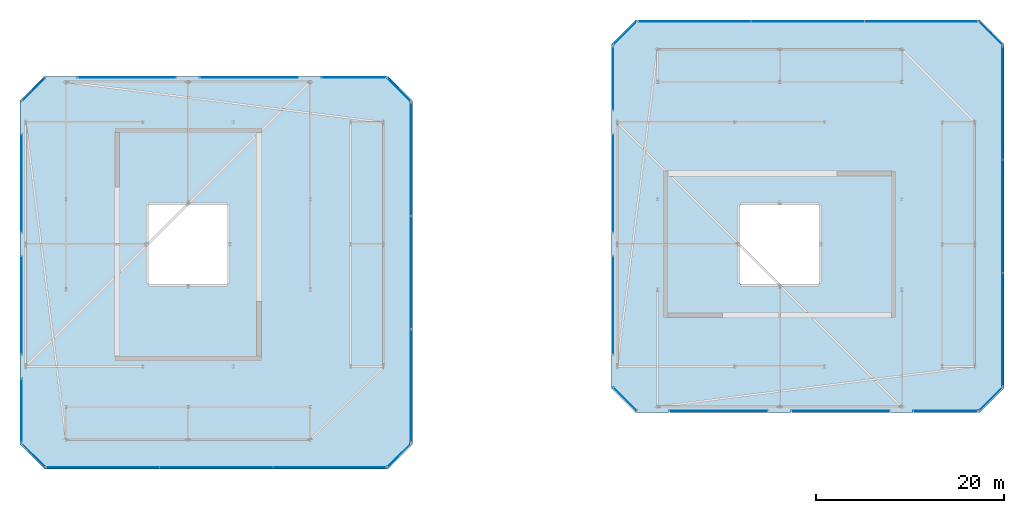
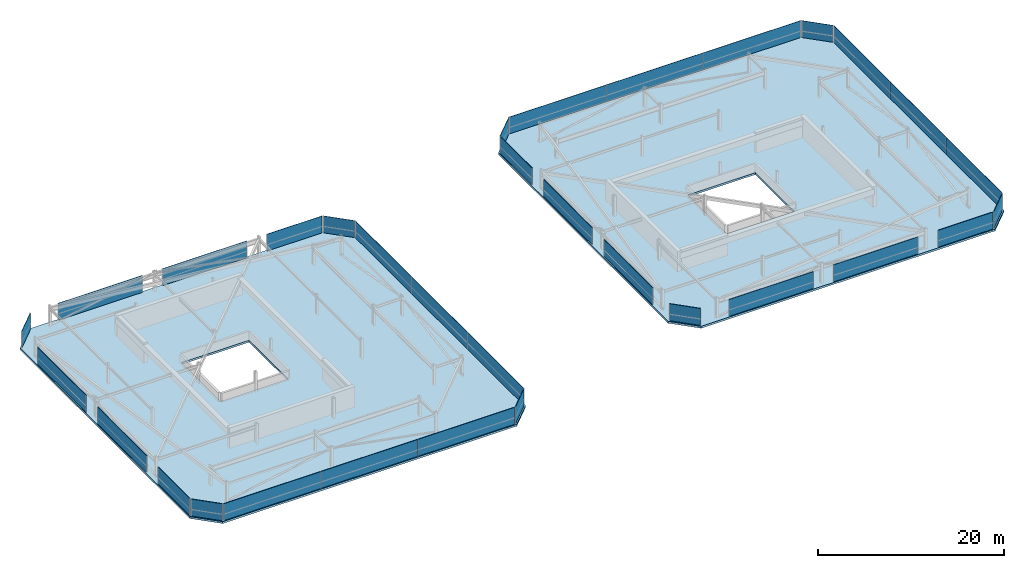
# One storey, part 37 of 42: 32 plates, 2 slabs, 24 elements without a shape of their own.
"""IFC4 building model written with IfcOpenShell, lengths in metres."""

from ifc_helpers import new_model, si_unit, direction, frame, origin, origin_2d, place, context, subcontext, project, spatial, polyline, rectangle, outline, extrude, material, layer, layer_set, type_object, element, aggregate, save


model = new_model("IFC4")

# Units and contexts
model_context = context("Model", 3, precision=1e-05, world=origin(), true_north=direction((0.0, 1.0)))
body_context = subcontext(model_context, "Body", "Model", "MODEL_VIEW")
ifc_project = project(units=[si_unit("LENGTHUNIT", "METRE"), si_unit("AREAUNIT", "SQUARE_METRE"), si_unit("VOLUMEUNIT", "CUBIC_METRE"), si_unit("PLANEANGLEUNIT", "RADIAN"), si_unit("MASSUNIT", "GRAM", prefix="KILO")], contexts=[model_context])

# Site, building, storey
site_placement = place(None, origin())
site = spatial("IfcSite", under=ifc_project, at=site_placement, CompositionType="ELEMENT")
building_placement = place(site_placement, origin())
building = spatial("IfcBuilding", under=site, at=building_placement, Name="Thornwick Lancets Civic Towers", CompositionType="ELEMENT")
storey_placement = place(building_placement, frame((0.0, 0.0, 286.800048828125)))
storey = spatial("IfcBuildingStorey", under=building, at=storey_placement, Name="C03", CompositionType="ELEMENT", Elevation=286.800048828125)

# Curtain wall, plates
ifc_material_1 = material(Name="Crown ring acoustic-louvre and glazing screen wall", Category="glass")
curtain_wall_type = type_object("IfcCurtainWallType", Name="CW_SYS_07", PredefinedType="NOTDEFINED", material=ifc_material_1)
curtain_wall_1_placement = place(storey_placement, origin())
curtain_wall_1 = element("IfcCurtainWall", 1, at=curtain_wall_1_placement, inside=storey, type_object=curtain_wall_type, Name="C03 Curtain Wall CW-C03-A-E0", PredefinedType="NOTDEFINED")
ifc_material_2 = material(Name="Terracotta acoustic louvre screen", Category="masonry")
ifc_layer_1 = layer(ifc_material_2, 0.050048828125, Name="Terracotta acoustic louvre screen")
ifc_layer_set_1 = layer_set([ifc_layer_1], Name="Terracotta acoustic louvre screen")
plate_type = type_object("IfcPlateType", Name="CW_PNL_LOUVRE", PredefinedType="SHEET", material=ifc_layer_set_1)
plate_1_placement = place(storey_placement, frame((16.432373046875, 3.2353515625, 0.0), z_axis=(0.0, 0.0, 1.0), x_axis=(1.0, 0.0, 0.0)))
plate_1 = element("IfcPlate", 2, at=plate_1_placement, type_object=plate_type, Name="CW-C03-A-E0 Panel 0", PredefinedType="SHEET", context=body_context, shape_type="SweptSolid", body=[
    extrude(rectangle(XDim=12.063720703125, YDim=0.050048828125, at=origin_2d()), origin(), (0.0, 0.0, 1.0), 2.219970703125),
])
plate_2_placement = place(storey_placement, frame((28.5, 3.2353515625, 0.0), z_axis=(0.0, 0.0, 1.0), x_axis=(1.0, 0.0, 0.0)))
plate_2 = element("IfcPlate", 3, at=plate_2_placement, type_object=plate_type, Name="CW-C03-A-E0 Panel 1", PredefinedType="SHEET", context=body_context, shape_type="SweptSolid", body=[
    extrude(rectangle(XDim=12.063720703125, YDim=0.050048828125, at=origin_2d()), origin(), (0.0, 0.0, 1.0), 2.219970703125),
])
plate_3_placement = place(storey_placement, frame((40.567626953125, 3.2353515625, 0.0), z_axis=(0.0, 0.0, 1.0), x_axis=(1.0, 0.0, 0.0)))
plate_3 = element("IfcPlate", 4, at=plate_3_placement, type_object=plate_type, Name="CW-C03-A-E0 Panel 2", PredefinedType="SHEET", context=body_context, shape_type="SweptSolid", body=[
    extrude(rectangle(XDim=12.063720703125, YDim=0.050048828125, at=origin_2d()), origin(), (0.0, 0.0, 1.0), 2.219970703125),
])
aggregate(curtain_wall_1, [plate_1, plate_2, plate_3])

# Curtain wall, plate
curtain_wall_2_placement = place(storey_placement, origin())
curtain_wall_2 = element("IfcCurtainWall", 5, at=curtain_wall_2_placement, inside=storey, type_object=curtain_wall_type, Name="C03 Curtain Wall CW-C03-A-E1", PredefinedType="NOTDEFINED")
plate_4_placement = place(storey_placement, frame((47.972900390625, 4.527099609375, 0.0), z_axis=(0.0, 0.0, 1.0), x_axis=(0.707106781187, 0.707106781187, 0.0)))
plate_4 = element("IfcPlate", 6, at=plate_4_placement, type_object=plate_type, Name="CW-C03-A-E1 Panel 0", PredefinedType="SHEET", context=body_context, shape_type="SweptSolid", body=[
    extrude(rectangle(XDim=3.4892578125, YDim=0.050048828125, at=origin_2d()), origin(), (0.0, 0.0, 1.0), 2.219970703125),
])
aggregate(curtain_wall_2, [plate_4])

# Curtain wall, plates
curtain_wall_3_placement = place(storey_placement, origin())
curtain_wall_3 = element("IfcCurtainWall", 7, at=curtain_wall_3_placement, inside=storey, type_object=curtain_wall_type, Name="C03 Curtain Wall CW-C03-A-E2", PredefinedType="NOTDEFINED")
plate_5_placement = place(storey_placement, frame((49.2646484375, 11.932373046875, 0.0), z_axis=(0.0, 0.0, 1.0), x_axis=(0.0, 1.0, 0.0)))
plate_5 = element("IfcPlate", 8, at=plate_5_placement, type_object=plate_type, Name="CW-C03-A-E2 Panel 0", PredefinedType="SHEET", context=body_context, shape_type="SweptSolid", body=[
    extrude(rectangle(XDim=12.063720703125, YDim=0.050048828125, at=origin_2d()), origin(), (0.0, 0.0, 1.0), 2.219970703125),
])
plate_6_placement = place(storey_placement, frame((49.2646484375, 24.0, 0.0), z_axis=(0.0, 0.0, 1.0), x_axis=(0.0, 1.0, 0.0)))
plate_6 = element("IfcPlate", 9, at=plate_6_placement, type_object=plate_type, Name="CW-C03-A-E2 Panel 1", PredefinedType="SHEET", context=body_context, shape_type="SweptSolid", body=[
    extrude(rectangle(XDim=12.063720703125, YDim=0.050048828125, at=origin_2d()), origin(), (0.0, 0.0, 1.0), 2.219970703125),
])
plate_7_placement = place(storey_placement, frame((49.2646484375, 36.067626953125, 0.0), z_axis=(0.0, 0.0, 1.0), x_axis=(0.0, 1.0, 0.0)))
plate_7 = element("IfcPlate", 10, at=plate_7_placement, type_object=plate_type, Name="CW-C03-A-E2 Panel 2", PredefinedType="SHEET", context=body_context, shape_type="SweptSolid", body=[
    extrude(rectangle(XDim=12.063720703125, YDim=0.050048828125, at=origin_2d()), origin(), (0.0, 0.0, 1.0), 2.219970703125),
])
aggregate(curtain_wall_3, [plate_5, plate_6, plate_7])

# Curtain wall, plate
curtain_wall_4_placement = place(storey_placement, origin())
curtain_wall_4 = element("IfcCurtainWall", 11, at=curtain_wall_4_placement, inside=storey, type_object=curtain_wall_type, Name="C03 Curtain Wall CW-C03-A-E3", PredefinedType="NOTDEFINED")
plate_8_placement = place(storey_placement, frame((47.972900390625, 43.472900390625, 0.0), z_axis=(0.0, 0.0, 1.0), x_axis=(-0.707106781187, 0.707106781187, 0.0)))
plate_8 = element("IfcPlate", 12, at=plate_8_placement, type_object=plate_type, Name="CW-C03-A-E3 Panel 0", PredefinedType="SHEET", context=body_context, shape_type="SweptSolid", body=[
    extrude(rectangle(XDim=3.4892578125, YDim=0.050048828125, at=origin_2d()), origin(), (0.0, 0.0, 1.0), 2.219970703125),
])
aggregate(curtain_wall_4, [plate_8])

curtain_wall_5_placement = place(storey_placement, origin())
curtain_wall_5 = element("IfcCurtainWall", 13, at=curtain_wall_5_placement, inside=storey, type_object=curtain_wall_type, Name="C03 Curtain Wall CW-C03-A-E4-S1", PredefinedType="NOTDEFINED")
plate_9_placement = place(storey_placement, frame((43.17578125, 44.7646484375, 0.0), z_axis=(0.0, 0.0, 1.0), x_axis=(-1.0, 0.0, 0.0)))
plate_9 = element("IfcPlate", 14, at=plate_9_placement, type_object=plate_type, Name="CW-C03-A-E4-S1 Panel 0", PredefinedType="SHEET", context=body_context, shape_type="SweptSolid", body=[
    extrude(rectangle(XDim=6.847412109375, YDim=0.050048828125, at=origin_2d()), origin(), (0.0, 0.0, 1.0), 2.219970703125),
])
aggregate(curtain_wall_5, [plate_9])

curtain_wall_6_placement = place(storey_placement, origin())
curtain_wall_6 = element("IfcCurtainWall", 15, at=curtain_wall_6_placement, inside=storey, type_object=curtain_wall_type, Name="C03 Curtain Wall CW-C03-A-E4-S2", PredefinedType="NOTDEFINED")
plate_10_placement = place(storey_placement, frame((32.0, 44.7646484375, 0.0), z_axis=(0.0, 0.0, 1.0), x_axis=(-1.0, 0.0, 0.0)))
plate_10 = element("IfcPlate", 16, at=plate_10_placement, type_object=plate_type, Name="CW-C03-A-E4-S2 Panel 0", PredefinedType="SHEET", context=body_context, shape_type="SweptSolid", body=[
    extrude(rectangle(XDim=10.49609375, YDim=0.050048828125, at=origin_2d()), origin(), (0.0, 0.0, 1.0), 2.219970703125),
])
aggregate(curtain_wall_6, [plate_10])

curtain_wall_7_placement = place(storey_placement, origin())
curtain_wall_7 = element("IfcCurtainWall", 17, at=curtain_wall_7_placement, inside=storey, type_object=curtain_wall_type, Name="C03 Curtain Wall CW-C03-A-E4-S3", PredefinedType="NOTDEFINED")
plate_11_placement = place(storey_placement, frame((19.0, 44.7646484375, 0.0), z_axis=(0.0, 0.0, 1.0), x_axis=(-1.0, 0.0, 0.0)))
plate_11 = element("IfcPlate", 18, at=plate_11_placement, type_object=plate_type, Name="CW-C03-A-E4-S3 Panel 0", PredefinedType="SHEET", context=body_context, shape_type="SweptSolid", body=[
    extrude(rectangle(XDim=10.49609375, YDim=0.050048828125, at=origin_2d()), origin(), (0.0, 0.0, 1.0), 2.219970703125),
])
aggregate(curtain_wall_7, [plate_11])

curtain_wall_8_placement = place(storey_placement, origin())
curtain_wall_8 = element("IfcCurtainWall", 19, at=curtain_wall_8_placement, inside=storey, type_object=curtain_wall_type, Name="C03 Curtain Wall CW-C03-A-E5", PredefinedType="NOTDEFINED")
plate_12_placement = place(storey_placement, frame((9.027099609375, 43.472900390625, 0.0), z_axis=(0.0, 0.0, 1.0), x_axis=(-0.707106781187, -0.707106781187, 0.0)))
plate_12 = element("IfcPlate", 20, at=plate_12_placement, type_object=plate_type, Name="CW-C03-A-E5 Panel 0", PredefinedType="SHEET", context=body_context, shape_type="SweptSolid", body=[
    extrude(rectangle(XDim=3.4892578125, YDim=0.050048828125, at=origin_2d()), origin(), (0.0, 0.0, 1.0), 2.219970703125),
])
aggregate(curtain_wall_8, [plate_12])

curtain_wall_9_placement = place(storey_placement, origin())
curtain_wall_9 = element("IfcCurtainWall", 21, at=curtain_wall_9_placement, inside=storey, type_object=curtain_wall_type, Name="C03 Curtain Wall CW-C03-A-E6-S1", PredefinedType="NOTDEFINED")
plate_13_placement = place(storey_placement, frame((7.7353515625, 33.5, 0.0), z_axis=(0.0, 0.0, 1.0), x_axis=(0.0, -1.0, 0.0)))
plate_13 = element("IfcPlate", 22, at=plate_13_placement, type_object=plate_type, Name="CW-C03-A-E6-S1 Panel 0", PredefinedType="SHEET", context=body_context, shape_type="SweptSolid", body=[
    extrude(rectangle(XDim=10.49609375, YDim=0.050048828125, at=origin_2d()), origin(), (0.0, 0.0, 1.0), 2.219970703125),
])
aggregate(curtain_wall_9, [plate_13])

curtain_wall_10_placement = place(storey_placement, origin())
curtain_wall_10 = element("IfcCurtainWall", 23, at=curtain_wall_10_placement, inside=storey, type_object=curtain_wall_type, Name="C03 Curtain Wall CW-C03-A-E6-S2", PredefinedType="NOTDEFINED")
plate_14_placement = place(storey_placement, frame((7.7353515625, 20.5, 0.0), z_axis=(0.0, 0.0, 1.0), x_axis=(0.0, -1.0, 0.0)))
plate_14 = element("IfcPlate", 24, at=plate_14_placement, type_object=plate_type, Name="CW-C03-A-E6-S2 Panel 0", PredefinedType="SHEET", context=body_context, shape_type="SweptSolid", body=[
    extrude(rectangle(XDim=10.49609375, YDim=0.050048828125, at=origin_2d()), origin(), (0.0, 0.0, 1.0), 2.219970703125),
])
aggregate(curtain_wall_10, [plate_14])

curtain_wall_11_placement = place(storey_placement, origin())
curtain_wall_11 = element("IfcCurtainWall", 25, at=curtain_wall_11_placement, inside=storey, type_object=curtain_wall_type, Name="C03 Curtain Wall CW-C03-A-E6-S3", PredefinedType="NOTDEFINED")
plate_15_placement = place(storey_placement, frame((7.7353515625, 9.32421875, 0.0), z_axis=(0.0, 0.0, 1.0), x_axis=(0.0, -1.0, 0.0)))
plate_15 = element("IfcPlate", 26, at=plate_15_placement, type_object=plate_type, Name="CW-C03-A-E6-S3 Panel 0", PredefinedType="SHEET", context=body_context, shape_type="SweptSolid", body=[
    extrude(rectangle(XDim=6.847412109375, YDim=0.050048828125, at=origin_2d()), origin(), (0.0, 0.0, 1.0), 2.219970703125),
])
aggregate(curtain_wall_11, [plate_15])

curtain_wall_12_placement = place(storey_placement, origin())
curtain_wall_12 = element("IfcCurtainWall", 27, at=curtain_wall_12_placement, inside=storey, type_object=curtain_wall_type, Name="C03 Curtain Wall CW-C03-A-E7", PredefinedType="NOTDEFINED")
plate_16_placement = place(storey_placement, frame((9.027099609375, 4.527099609375, 0.0), z_axis=(0.0, 0.0, 1.0), x_axis=(0.707106781187, -0.707106781187, 0.0)))
plate_16 = element("IfcPlate", 28, at=plate_16_placement, type_object=plate_type, Name="CW-C03-A-E7 Panel 0", PredefinedType="SHEET", context=body_context, shape_type="SweptSolid", body=[
    extrude(rectangle(XDim=3.4892578125, YDim=0.050048828125, at=origin_2d()), origin(), (0.0, 0.0, 1.0), 2.219970703125),
])
aggregate(curtain_wall_12, [plate_16])

curtain_wall_13_placement = place(storey_placement, origin())
curtain_wall_13 = element("IfcCurtainWall", 29, at=curtain_wall_13_placement, inside=storey, type_object=curtain_wall_type, Name="C03 Curtain Wall CW-C03-B-E0-S1", PredefinedType="NOTDEFINED")
plate_17_placement = place(storey_placement, frame((82.0, 9.2353515625, 0.0), z_axis=(0.0, 0.0, 1.0), x_axis=(1.0, 0.0, 0.0)))
plate_17 = element("IfcPlate", 30, at=plate_17_placement, type_object=plate_type, Name="CW-C03-B-E0-S1 Panel 0", PredefinedType="SHEET", context=body_context, shape_type="SweptSolid", body=[
    extrude(rectangle(XDim=10.49609375, YDim=0.050048828125, at=origin_2d()), origin(), (0.0, 0.0, 1.0), 2.219970703125),
])
aggregate(curtain_wall_13, [plate_17])

curtain_wall_14_placement = place(storey_placement, origin())
curtain_wall_14 = element("IfcCurtainWall", 31, at=curtain_wall_14_placement, inside=storey, type_object=curtain_wall_type, Name="C03 Curtain Wall CW-C03-B-E0-S2", PredefinedType="NOTDEFINED")
plate_18_placement = place(storey_placement, frame((95.0, 9.2353515625, 0.0), z_axis=(0.0, 0.0, 1.0), x_axis=(1.0, 0.0, 0.0)))
plate_18 = element("IfcPlate", 32, at=plate_18_placement, type_object=plate_type, Name="CW-C03-B-E0-S2 Panel 0", PredefinedType="SHEET", context=body_context, shape_type="SweptSolid", body=[
    extrude(rectangle(XDim=10.49609375, YDim=0.050048828125, at=origin_2d()), origin(), (0.0, 0.0, 1.0), 2.219970703125),
])
aggregate(curtain_wall_14, [plate_18])

curtain_wall_15_placement = place(storey_placement, origin())
curtain_wall_15 = element("IfcCurtainWall", 33, at=curtain_wall_15_placement, inside=storey, type_object=curtain_wall_type, Name="C03 Curtain Wall CW-C03-B-E0-S3", PredefinedType="NOTDEFINED")
plate_19_placement = place(storey_placement, frame((106.17578125, 9.2353515625, 0.0), z_axis=(0.0, 0.0, 1.0), x_axis=(1.0, 0.0, 0.0)))
plate_19 = element("IfcPlate", 34, at=plate_19_placement, type_object=plate_type, Name="CW-C03-B-E0-S3 Panel 0", PredefinedType="SHEET", context=body_context, shape_type="SweptSolid", body=[
    extrude(rectangle(XDim=6.847412109375, YDim=0.050048828125, at=origin_2d()), origin(), (0.0, 0.0, 1.0), 2.219970703125),
])
aggregate(curtain_wall_15, [plate_19])

curtain_wall_16_placement = place(storey_placement, origin())
curtain_wall_16 = element("IfcCurtainWall", 35, at=curtain_wall_16_placement, inside=storey, type_object=curtain_wall_type, Name="C03 Curtain Wall CW-C03-B-E1", PredefinedType="NOTDEFINED")
plate_20_placement = place(storey_placement, frame((110.972900390625, 10.527099609375, 0.0), z_axis=(0.0, 0.0, 1.0), x_axis=(0.707106781187, 0.707106781187, 0.0)))
plate_20 = element("IfcPlate", 36, at=plate_20_placement, type_object=plate_type, Name="CW-C03-B-E1 Panel 0", PredefinedType="SHEET", context=body_context, shape_type="SweptSolid", body=[
    extrude(rectangle(XDim=3.4892578125, YDim=0.050048828125, at=origin_2d()), origin(), (0.0, 0.0, 1.0), 2.219970703125),
])
aggregate(curtain_wall_16, [plate_20])

# Curtain wall, plates
curtain_wall_17_placement = place(storey_placement, origin())
curtain_wall_17 = element("IfcCurtainWall", 37, at=curtain_wall_17_placement, inside=storey, type_object=curtain_wall_type, Name="C03 Curtain Wall CW-C03-B-E2", PredefinedType="NOTDEFINED")
plate_21_placement = place(storey_placement, frame((112.2646484375, 17.932373046875, 0.0), z_axis=(0.0, 0.0, 1.0), x_axis=(0.0, 1.0, 0.0)))
plate_21 = element("IfcPlate", 38, at=plate_21_placement, type_object=plate_type, Name="CW-C03-B-E2 Panel 0", PredefinedType="SHEET", context=body_context, shape_type="SweptSolid", body=[
    extrude(rectangle(XDim=12.063720703125, YDim=0.050048828125, at=origin_2d()), origin(), (0.0, 0.0, 1.0), 2.219970703125),
])
plate_22_placement = place(storey_placement, frame((112.2646484375, 30.0, 0.0), z_axis=(0.0, 0.0, 1.0), x_axis=(0.0, 1.0, 0.0)))
plate_22 = element("IfcPlate", 39, at=plate_22_placement, type_object=plate_type, Name="CW-C03-B-E2 Panel 1", PredefinedType="SHEET", context=body_context, shape_type="SweptSolid", body=[
    extrude(rectangle(XDim=12.063720703125, YDim=0.050048828125, at=origin_2d()), origin(), (0.0, 0.0, 1.0), 2.219970703125),
])
plate_23_placement = place(storey_placement, frame((112.2646484375, 42.067626953125, 0.0), z_axis=(0.0, 0.0, 1.0), x_axis=(0.0, 1.0, 0.0)))
plate_23 = element("IfcPlate", 40, at=plate_23_placement, type_object=plate_type, Name="CW-C03-B-E2 Panel 2", PredefinedType="SHEET", context=body_context, shape_type="SweptSolid", body=[
    extrude(rectangle(XDim=12.063720703125, YDim=0.050048828125, at=origin_2d()), origin(), (0.0, 0.0, 1.0), 2.219970703125),
])
aggregate(curtain_wall_17, [plate_21, plate_22, plate_23])

# Curtain wall, plate
curtain_wall_18_placement = place(storey_placement, origin())
curtain_wall_18 = element("IfcCurtainWall", 41, at=curtain_wall_18_placement, inside=storey, type_object=curtain_wall_type, Name="C03 Curtain Wall CW-C03-B-E3", PredefinedType="NOTDEFINED")
plate_24_placement = place(storey_placement, frame((110.972900390625, 49.472900390625, 0.0), z_axis=(0.0, 0.0, 1.0), x_axis=(-0.707106781187, 0.707106781187, 0.0)))
plate_24 = element("IfcPlate", 42, at=plate_24_placement, type_object=plate_type, Name="CW-C03-B-E3 Panel 0", PredefinedType="SHEET", context=body_context, shape_type="SweptSolid", body=[
    extrude(rectangle(XDim=3.4892578125, YDim=0.050048828125, at=origin_2d()), origin(), (0.0, 0.0, 1.0), 2.219970703125),
])
aggregate(curtain_wall_18, [plate_24])

# Curtain wall, plates
curtain_wall_19_placement = place(storey_placement, origin())
curtain_wall_19 = element("IfcCurtainWall", 43, at=curtain_wall_19_placement, inside=storey, type_object=curtain_wall_type, Name="C03 Curtain Wall CW-C03-B-E4", PredefinedType="NOTDEFINED")
plate_25_placement = place(storey_placement, frame((103.567626953125, 50.7646484375, 0.0), z_axis=(0.0, 0.0, 1.0), x_axis=(-1.0, 0.0, 0.0)))
plate_25 = element("IfcPlate", 44, at=plate_25_placement, type_object=plate_type, Name="CW-C03-B-E4 Panel 0", PredefinedType="SHEET", context=body_context, shape_type="SweptSolid", body=[
    extrude(rectangle(XDim=12.063720703125, YDim=0.050048828125, at=origin_2d()), origin(), (0.0, 0.0, 1.0), 2.219970703125),
])
plate_26_placement = place(storey_placement, frame((91.5, 50.7646484375, 0.0), z_axis=(0.0, 0.0, 1.0), x_axis=(-1.0, 0.0, 0.0)))
plate_26 = element("IfcPlate", 45, at=plate_26_placement, type_object=plate_type, Name="CW-C03-B-E4 Panel 1", PredefinedType="SHEET", context=body_context, shape_type="SweptSolid", body=[
    extrude(rectangle(XDim=12.063720703125, YDim=0.050048828125, at=origin_2d()), origin(), (0.0, 0.0, 1.0), 2.219970703125),
])
plate_27_placement = place(storey_placement, frame((79.432373046875, 50.7646484375, 0.0), z_axis=(0.0, 0.0, 1.0), x_axis=(-1.0, 0.0, 0.0)))
plate_27 = element("IfcPlate", 46, at=plate_27_placement, type_object=plate_type, Name="CW-C03-B-E4 Panel 2", PredefinedType="SHEET", context=body_context, shape_type="SweptSolid", body=[
    extrude(rectangle(XDim=12.063720703125, YDim=0.050048828125, at=origin_2d()), origin(), (0.0, 0.0, 1.0), 2.219970703125),
])
aggregate(curtain_wall_19, [plate_25, plate_26, plate_27])

# Curtain wall, plate
curtain_wall_20_placement = place(storey_placement, origin())
curtain_wall_20 = element("IfcCurtainWall", 47, at=curtain_wall_20_placement, inside=storey, type_object=curtain_wall_type, Name="C03 Curtain Wall CW-C03-B-E5", PredefinedType="NOTDEFINED")
plate_28_placement = place(storey_placement, frame((72.027099609375, 49.472900390625, 0.0), z_axis=(0.0, 0.0, 1.0), x_axis=(-0.707106781187, -0.707106781187, 0.0)))
plate_28 = element("IfcPlate", 48, at=plate_28_placement, type_object=plate_type, Name="CW-C03-B-E5 Panel 0", PredefinedType="SHEET", context=body_context, shape_type="SweptSolid", body=[
    extrude(rectangle(XDim=3.4892578125, YDim=0.050048828125, at=origin_2d()), origin(), (0.0, 0.0, 1.0), 2.219970703125),
])
aggregate(curtain_wall_20, [plate_28])

curtain_wall_21_placement = place(storey_placement, origin())
curtain_wall_21 = element("IfcCurtainWall", 49, at=curtain_wall_21_placement, inside=storey, type_object=curtain_wall_type, Name="C03 Curtain Wall CW-C03-B-E6-S1", PredefinedType="NOTDEFINED")
plate_29_placement = place(storey_placement, frame((70.7353515625, 44.67578125, 0.0), z_axis=(0.0, 0.0, 1.0), x_axis=(0.0, -1.0, 0.0)))
plate_29 = element("IfcPlate", 50, at=plate_29_placement, type_object=plate_type, Name="CW-C03-B-E6-S1 Panel 0", PredefinedType="SHEET", context=body_context, shape_type="SweptSolid", body=[
    extrude(rectangle(XDim=6.847412109375, YDim=0.050048828125, at=origin_2d()), origin(), (0.0, 0.0, 1.0), 2.219970703125),
])
aggregate(curtain_wall_21, [plate_29])

curtain_wall_22_placement = place(storey_placement, origin())
curtain_wall_22 = element("IfcCurtainWall", 51, at=curtain_wall_22_placement, inside=storey, type_object=curtain_wall_type, Name="C03 Curtain Wall CW-C03-B-E6-S2", PredefinedType="NOTDEFINED")
plate_30_placement = place(storey_placement, frame((70.7353515625, 33.5, 0.0), z_axis=(0.0, 0.0, 1.0), x_axis=(0.0, -1.0, 0.0)))
plate_30 = element("IfcPlate", 52, at=plate_30_placement, type_object=plate_type, Name="CW-C03-B-E6-S2 Panel 0", PredefinedType="SHEET", context=body_context, shape_type="SweptSolid", body=[
    extrude(rectangle(XDim=10.49609375, YDim=0.050048828125, at=origin_2d()), origin(), (0.0, 0.0, 1.0), 2.219970703125),
])
aggregate(curtain_wall_22, [plate_30])

curtain_wall_23_placement = place(storey_placement, origin())
curtain_wall_23 = element("IfcCurtainWall", 53, at=curtain_wall_23_placement, inside=storey, type_object=curtain_wall_type, Name="C03 Curtain Wall CW-C03-B-E6-S3", PredefinedType="NOTDEFINED")
plate_31_placement = place(storey_placement, frame((70.7353515625, 20.5, 0.0), z_axis=(0.0, 0.0, 1.0), x_axis=(0.0, -1.0, 0.0)))
plate_31 = element("IfcPlate", 54, at=plate_31_placement, type_object=plate_type, Name="CW-C03-B-E6-S3 Panel 0", PredefinedType="SHEET", context=body_context, shape_type="SweptSolid", body=[
    extrude(rectangle(XDim=10.49609375, YDim=0.050048828125, at=origin_2d()), origin(), (0.0, 0.0, 1.0), 2.219970703125),
])
aggregate(curtain_wall_23, [plate_31])

curtain_wall_24_placement = place(storey_placement, origin())
curtain_wall_24 = element("IfcCurtainWall", 55, at=curtain_wall_24_placement, inside=storey, type_object=curtain_wall_type, Name="C03 Curtain Wall CW-C03-B-E7", PredefinedType="NOTDEFINED")
plate_32_placement = place(storey_placement, frame((72.027099609375, 10.527099609375, 0.0), z_axis=(0.0, 0.0, 1.0), x_axis=(0.707106781187, -0.707106781187, 0.0)))
plate_32 = element("IfcPlate", 56, at=plate_32_placement, type_object=plate_type, Name="CW-C03-B-E7 Panel 0", PredefinedType="SHEET", context=body_context, shape_type="SweptSolid", body=[
    extrude(rectangle(XDim=3.4892578125, YDim=0.050048828125, at=origin_2d()), origin(), (0.0, 0.0, 1.0), 2.219970703125),
])
aggregate(curtain_wall_24, [plate_32])

# Slabs
ifc_material_3 = material(Name="Concrete C40/50", Category="concrete")
ifc_layer_2 = layer(ifc_material_3, 0.260009765625, Name="Concrete C40/50")
ifc_layer_set_2 = layer_set([ifc_layer_2], Name="Concrete C40/50")
slab_type = type_object("IfcSlabType", Name="SLAB_ROOF_260", PredefinedType="ROOF", material=ifc_layer_set_2)
slab_1_placement = place(storey_placement, frame((0.0, 0.0, -0.260009765625)))
element("IfcSlab", 57, at=slab_1_placement, inside=storey, type_object=slab_type, Name="C03 Tower A Crown Structural Ring Deck", PredefinedType="ROOF", context=body_context, shape_type="SweptSolid", body=[
    extrude(outline(polyline([(10.199951171875, 3.10009765625), (46.800048828125, 3.10009765625), (49.39990234375, 5.699951171875), (49.39990234375, 42.300048828125), (46.800048828125, 44.89990234375), (10.199951171875, 44.89990234375), (7.60009765625, 42.300048828125), (7.60009765625, 5.699951171875), (10.199951171875, 3.10009765625)]), holes=[polyline([(21.300048828125, 22.800048828125), (29.699951171875, 22.800048828125), (29.699951171875, 31.199951171875), (21.300048828125, 31.199951171875), (21.300048828125, 22.800048828125)])]), origin(), (0.0, 0.0, 1.0), 0.260009765625),
])
slab_2_placement = place(storey_placement, frame((0.0, 0.0, -0.260009765625)))
element("IfcSlab", 58, at=slab_2_placement, inside=storey, type_object=slab_type, Name="C03 Tower B Crown Structural Ring Deck", PredefinedType="ROOF", context=body_context, shape_type="SweptSolid", body=[
    extrude(outline(polyline([(73.199951171875, 9.10009765625), (109.800048828125, 9.10009765625), (112.39990234375, 11.699951171875), (112.39990234375, 48.300048828125), (109.800048828125, 50.89990234375), (73.199951171875, 50.89990234375), (70.60009765625, 48.300048828125), (70.60009765625, 11.699951171875), (73.199951171875, 9.10009765625)]), holes=[polyline([(84.300048828125, 22.800048828125), (92.699951171875, 22.800048828125), (92.699951171875, 31.199951171875), (84.300048828125, 31.199951171875), (84.300048828125, 22.800048828125)])]), origin(), (0.0, 0.0, 1.0), 0.260009765625),
])

save(model, "model.ifc")
